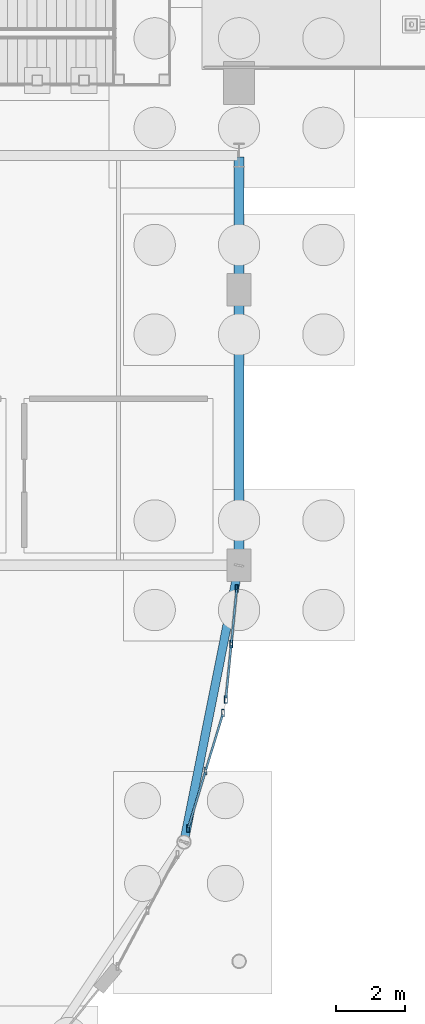
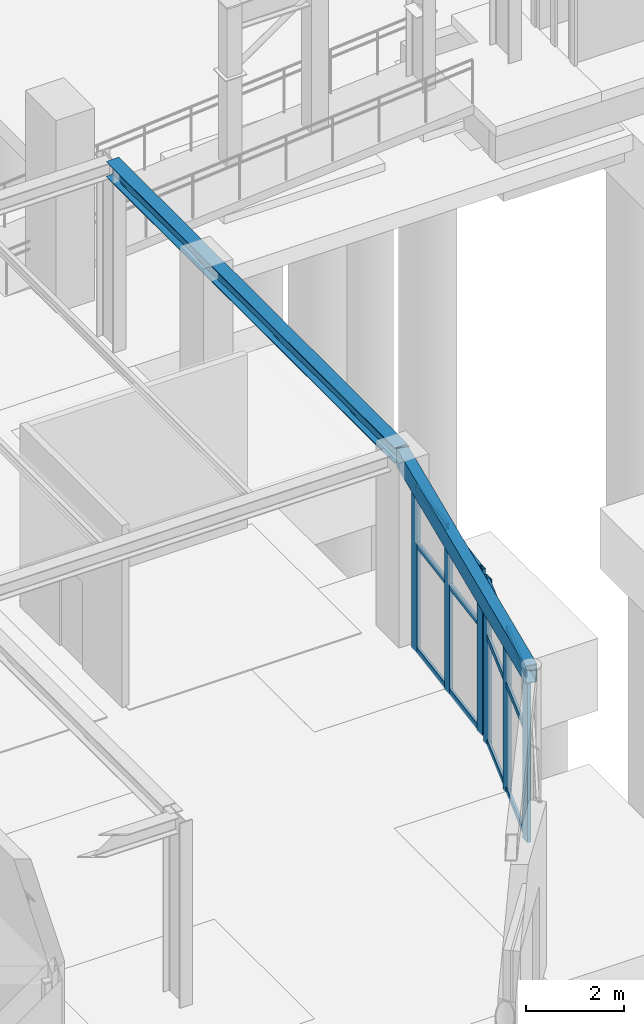
# One storey, part 79 of 160: 18 members, 2 beams, 2 elements without a shape of their own.
"""IFC4 building model written with IfcOpenShell, lengths in metres."""

from ifc_helpers import new_model, si_unit, direction, frame, origin, origin_2d, place, context, subcontext, project, spatial, hollow_rectangle, i_section, extrude, material, layer, layer_set, material_profile, profile_set, type_object, element, aggregate, save


model = new_model("IFC4")

# Units and contexts
model_context = context("Model", 3, precision=1e-05, world=origin(), true_north=direction((0.0, 1.0)))
body_context = subcontext(model_context, "Body", "Model", "MODEL_VIEW")
ifc_project = project(units=[si_unit("LENGTHUNIT", "METRE"), si_unit("AREAUNIT", "SQUARE_METRE"), si_unit("VOLUMEUNIT", "CUBIC_METRE"), si_unit("PLANEANGLEUNIT", "RADIAN"), si_unit("MASSUNIT", "GRAM", prefix="KILO")], contexts=[model_context])

# Site, building, storey
site_placement = place(None, origin())
site = spatial("IfcSite", under=ifc_project, at=site_placement, CompositionType="ELEMENT")
building_placement = place(site_placement, origin())
building = spatial("IfcBuilding", under=site, at=building_placement, Name="Marlcrest Central Station", CompositionType="ELEMENT")
storey_placement = place(building_placement, origin())
storey = spatial("IfcBuildingStorey", under=building, at=storey_placement, Name="L00", CompositionType="ELEMENT", Elevation=0.0)

# Beam
ifc_material_1 = material(Name="Steel S355", Category="steel")
ifc_material_profile_1 = material_profile(ifc_material_1, i_section(OverallWidth=0.300048828125, OverallDepth=0.389892578125, WebThickness=0.010986328125, FlangeThickness=0.01904296875, FilletRadius=0.027099609375, at=origin_2d()), Name="HEA 400")
ifc_profile_set_1 = profile_set([ifc_material_profile_1], Name="Steel S355")
beam_type_1 = type_object("IfcBeamType", Name="BM-08", PredefinedType="BEAM", material=ifc_profile_set_1)
beam_1_placement = place(storey_placement, frame((129.0, 22.550048828125, 4.409912109375), z_axis=(0.0, 1.0, 0.0), x_axis=(-1.0, 0.0, 0.0)))
element("IfcBeam", 1, at=beam_1_placement, inside=storey, type_object=beam_type_1, Name="bm-BM-08-L00-01348", PredefinedType="BEAM", context=body_context, shape_type="SweptSolid", body=[
    extrude(i_section(OverallWidth=0.300048828125, OverallDepth=0.389892578125, WebThickness=0.010986328125, FlangeThickness=0.01904296875, FilletRadius=0.027099609375, at=origin_2d()), origin(), (0.0, 0.0, 1.0), 11.800048828125),
])

# Curtain wall, members
ifc_material_2 = material(Name="Anodised aluminium and hurricane laminated glass", Category="aluminium")
ifc_layer = layer(ifc_material_2, 0.219970703125, Name="CW-U1")
ifc_layer_set = layer_set([ifc_layer], Name="Anodised aluminium and hurricane laminated glass")
curtain_wall_type = type_object("IfcCurtainWallType", Name="CW-U1", PredefinedType="USERDEFINED", material=ifc_layer_set)
curtain_wall_1_placement = place(storey_placement, origin())
curtain_wall_1 = element("IfcCurtainWall", 2, at=curtain_wall_1_placement, inside=storey, type_object=curtain_wall_type, Name="cw-L00-0007", ObjectType="UNITISED_CURTAIN_WALL", PredefinedType="USERDEFINED")
ifc_material_3 = material(Name="Anodised aluminium 6063-T6", Category="aluminium")
ifc_material_profile_2 = material_profile(ifc_material_3, hollow_rectangle(XDim=0.080078125, YDim=0.219970703125, WallThickness=0.006103515625, at=origin_2d()), Name="AA-RHS 220x80x6")
ifc_profile_set_2 = profile_set([ifc_material_profile_2], Name="Anodised aluminium 6063-T6")
member_type_1 = type_object("IfcMemberType", Name="ML-01", PredefinedType="MULLION", material=ifc_profile_set_2)
member_1_placement = place(storey_placement, frame((128.5361328125, 18.2060546875, -0.030029296875), z_axis=(0.0, 0.0, 1.0), x_axis=(1.0, 0.0, 0.0)))
member_1 = element("IfcMember", 3, at=member_1_placement, type_object=member_type_1, Name="cw-L00-0007-ml-0", PredefinedType="MULLION", context=body_context, shape_type="SweptSolid", body=[
    extrude(hollow_rectangle(XDim=0.080078125, YDim=0.219970703125, WallThickness=0.006103515625, at=origin_2d()), origin(), (0.0, 0.0, 1.0), 4.159912109375),
])
member_2_placement = place(storey_placement, frame((128.02734375, 16.5283203125, -0.030029296875), z_axis=(0.0, 0.0, 1.0), x_axis=(1.0, 0.0, 0.0)))
member_2 = element("IfcMember", 4, at=member_2_placement, type_object=member_type_1, Name="cw-L00-0007-ml-1", PredefinedType="MULLION", context=body_context, shape_type="SweptSolid", body=[
    extrude(hollow_rectangle(XDim=0.080078125, YDim=0.219970703125, WallThickness=0.006103515625, at=origin_2d()), origin(), (0.0, 0.0, 1.0), 4.159912109375),
])
member_3_placement = place(storey_placement, frame((127.518310546875, 14.8505859375, -0.030029296875), z_axis=(0.0, 0.0, 1.0), x_axis=(1.0, 0.0, 0.0)))
member_3 = element("IfcMember", 5, at=member_3_placement, type_object=member_type_1, Name="cw-L00-0007-ml-2", PredefinedType="MULLION", context=body_context, shape_type="SweptSolid", body=[
    extrude(hollow_rectangle(XDim=0.080078125, YDim=0.219970703125, WallThickness=0.006103515625, at=origin_2d()), origin(), (0.0, 0.0, 1.0), 4.159912109375),
])

curtain_wall_2_placement = place(storey_placement, origin())
curtain_wall_2 = element("IfcCurtainWall", 6, at=curtain_wall_2_placement, inside=storey, type_object=curtain_wall_type, Name="cw-L00-0008", ObjectType="UNITISED_CURTAIN_WALL", PredefinedType="USERDEFINED")
member_4_placement = place(storey_placement, frame((128.93359375, 21.827392578125, -0.030029296875), z_axis=(0.0, 0.0, 1.0), x_axis=(1.0, 0.0, 0.0)))
member_4 = element("IfcMember", 7, at=member_4_placement, type_object=member_type_1, Name="cw-L00-0008-ml-0", PredefinedType="MULLION", context=body_context, shape_type="SweptSolid", body=[
    extrude(hollow_rectangle(XDim=0.080078125, YDim=0.219970703125, WallThickness=0.006103515625, at=origin_2d()), origin(), (0.0, 0.0, 1.0), 4.159912109375),
])
member_5_placement = place(storey_placement, frame((128.77490234375, 20.217529296875, -0.030029296875), z_axis=(0.0, 0.0, 1.0), x_axis=(1.0, 0.0, 0.0)))
member_5 = element("IfcMember", 8, at=member_5_placement, type_object=member_type_1, Name="cw-L00-0008-ml-1", PredefinedType="MULLION", context=body_context, shape_type="SweptSolid", body=[
    extrude(hollow_rectangle(XDim=0.080078125, YDim=0.219970703125, WallThickness=0.006103515625, at=origin_2d()), origin(), (0.0, 0.0, 1.0), 4.159912109375),
])
member_6_placement = place(storey_placement, frame((128.6162109375, 18.60791015625, -0.030029296875), z_axis=(0.0, 0.0, 1.0), x_axis=(1.0, 0.0, 0.0)))
member_6 = element("IfcMember", 9, at=member_6_placement, type_object=member_type_1, Name="cw-L00-0008-ml-2", PredefinedType="MULLION", context=body_context, shape_type="SweptSolid", body=[
    extrude(hollow_rectangle(XDim=0.080078125, YDim=0.219970703125, WallThickness=0.006103515625, at=origin_2d()), origin(), (0.0, 0.0, 1.0), 4.159912109375),
])

# Beam
ifc_material_profile_3 = material_profile(ifc_material_1, hollow_rectangle(XDim=0.25, YDim=0.449951171875, WallThickness=0.01611328125, at=origin_2d()), Name="RHS 450x250x16")
ifc_profile_set_3 = profile_set([ifc_material_profile_3], Name="Steel S355")
beam_type_2 = type_object("IfcBeamType", Name="SP-02", PredefinedType="SPANDREL", material=ifc_profile_set_3)
beam_2_placement = place(storey_placement, frame((127.40087890625, 14.464111328125, 4.3798828125), z_axis=(0.19517056122, 0.980769316421, 0.0), x_axis=(-0.980769316421, 0.19517056122, 0.0)))
element("IfcBeam", 10, at=beam_2_placement, inside=storey, type_object=beam_type_2, Name="bm-SP-02-L00-01330", PredefinedType="SPANDREL", context=body_context, shape_type="SweptSolid", body=[
    extrude(hollow_rectangle(XDim=0.25, YDim=0.449951171875, WallThickness=0.01611328125, at=origin_2d()), origin(), (0.0, 0.0, 1.0), 8.193359375),
])

# Member
ifc_material_profile_4 = material_profile(ifc_material_3, hollow_rectangle(XDim=0.06005859375, YDim=0.14990234375, WallThickness=0.00390625, at=origin_2d()), Name="AA-RHS 150x60x4")
ifc_profile_set_4 = profile_set([ifc_material_profile_4], Name="Anodised aluminium 6063-T6")
member_type_2 = type_object("IfcMemberType", Name="TR-01", PredefinedType="USERDEFINED", material=ifc_profile_set_4)
member_7_placement = place(storey_placement, frame((128.525146484375, 18.169677734375, 0.0400390625), z_axis=(-0.29025787087, -0.95694846695, 0.0), x_axis=(0.95694846695, -0.29025787087, 0.0)))
member_7 = element("IfcMember", 11, at=member_7_placement, type_object=member_type_2, Name="cw-L00-0007-tr-0-sill", ObjectType="TRANSOM", PredefinedType="USERDEFINED", context=body_context, shape_type="SweptSolid", body=[
    extrude(hollow_rectangle(XDim=0.06005859375, YDim=0.14990234375, WallThickness=0.00390625, at=origin_2d()), origin(), (0.0, 0.0, 1.0), 1.67724609375),
])

member_8_placement = place(storey_placement, frame((128.525146484375, 18.169677734375, 2.6650390625), z_axis=(-0.29025787087, -0.95694846695, 0.0), x_axis=(0.95694846695, -0.29025787087, 0.0)))
member_8 = element("IfcMember", 12, at=member_8_placement, type_object=member_type_2, Name="cw-L00-0007-tr-0-mid", ObjectType="TRANSOM", PredefinedType="USERDEFINED", context=body_context, shape_type="SweptSolid", body=[
    extrude(hollow_rectangle(XDim=0.06005859375, YDim=0.14990234375, WallThickness=0.00390625, at=origin_2d()), origin(), (0.0, 0.0, 1.0), 1.67724609375),
])

member_9_placement = place(storey_placement, frame((128.525146484375, 18.169677734375, 4.06005859375), z_axis=(-0.29025787087, -0.95694846695, 0.0), x_axis=(0.95694846695, -0.29025787087, 0.0)))
member_9 = element("IfcMember", 13, at=member_9_placement, type_object=member_type_2, Name="cw-L00-0007-tr-0-head", ObjectType="TRANSOM", PredefinedType="USERDEFINED", context=body_context, shape_type="SweptSolid", body=[
    extrude(hollow_rectangle(XDim=0.06005859375, YDim=0.14990234375, WallThickness=0.00390625, at=origin_2d()), origin(), (0.0, 0.0, 1.0), 1.67724609375),
])

member_10_placement = place(storey_placement, frame((128.01611328125, 16.491943359375, 0.0400390625), z_axis=(-0.29025787087, -0.95694846695, 0.0), x_axis=(0.95694846695, -0.29025787087, 0.0)))
member_10 = element("IfcMember", 14, at=member_10_placement, type_object=member_type_2, Name="cw-L00-0007-tr-1-sill", ObjectType="TRANSOM", PredefinedType="USERDEFINED", context=body_context, shape_type="SweptSolid", body=[
    extrude(hollow_rectangle(XDim=0.06005859375, YDim=0.14990234375, WallThickness=0.00390625, at=origin_2d()), origin(), (0.0, 0.0, 1.0), 1.67724609375),
])

member_11_placement = place(storey_placement, frame((128.01611328125, 16.491943359375, 2.6650390625), z_axis=(-0.29025787087, -0.95694846695, 0.0), x_axis=(0.95694846695, -0.29025787087, 0.0)))
member_11 = element("IfcMember", 15, at=member_11_placement, type_object=member_type_2, Name="cw-L00-0007-tr-1-mid", ObjectType="TRANSOM", PredefinedType="USERDEFINED", context=body_context, shape_type="SweptSolid", body=[
    extrude(hollow_rectangle(XDim=0.06005859375, YDim=0.14990234375, WallThickness=0.00390625, at=origin_2d()), origin(), (0.0, 0.0, 1.0), 1.67724609375),
])

member_12_placement = place(storey_placement, frame((128.01611328125, 16.491943359375, 4.06005859375), z_axis=(-0.29025787087, -0.95694846695, 0.0), x_axis=(0.95694846695, -0.29025787087, 0.0)))
member_12 = element("IfcMember", 16, at=member_12_placement, type_object=member_type_2, Name="cw-L00-0007-tr-1-head", ObjectType="TRANSOM", PredefinedType="USERDEFINED", context=body_context, shape_type="SweptSolid", body=[
    extrude(hollow_rectangle(XDim=0.06005859375, YDim=0.14990234375, WallThickness=0.00390625, at=origin_2d()), origin(), (0.0, 0.0, 1.0), 1.67724609375),
])

aggregate(curtain_wall_1, [member_1, member_2, member_3, member_7, member_8, member_9, member_10, member_11, member_12])

member_13_placement = place(storey_placement, frame((128.929931640625, 21.78955078125, 0.0400390625), z_axis=(-0.098045143769, -0.995181968176, 0.0), x_axis=(0.995181968176, -0.098045143769, 0.0)))
member_13 = element("IfcMember", 17, at=member_13_placement, type_object=member_type_2, Name="cw-L00-0008-tr-0-sill", ObjectType="TRANSOM", PredefinedType="USERDEFINED", context=body_context, shape_type="SweptSolid", body=[
    extrude(hollow_rectangle(XDim=0.06005859375, YDim=0.14990234375, WallThickness=0.00390625, at=origin_2d()), origin(), (0.0, 0.0, 1.0), 1.541259765625),
])

member_14_placement = place(storey_placement, frame((128.929931640625, 21.78955078125, 2.6650390625), z_axis=(-0.098045143769, -0.995181968176, 0.0), x_axis=(0.995181968176, -0.098045143769, 0.0)))
member_14 = element("IfcMember", 18, at=member_14_placement, type_object=member_type_2, Name="cw-L00-0008-tr-0-mid", ObjectType="TRANSOM", PredefinedType="USERDEFINED", context=body_context, shape_type="SweptSolid", body=[
    extrude(hollow_rectangle(XDim=0.06005859375, YDim=0.14990234375, WallThickness=0.00390625, at=origin_2d()), origin(), (0.0, 0.0, 1.0), 1.541259765625),
])

member_15_placement = place(storey_placement, frame((128.929931640625, 21.78955078125, 4.06005859375), z_axis=(-0.098045143769, -0.995181968176, 0.0), x_axis=(0.995181968176, -0.098045143769, 0.0)))
member_15 = element("IfcMember", 19, at=member_15_placement, type_object=member_type_2, Name="cw-L00-0008-tr-0-head", ObjectType="TRANSOM", PredefinedType="USERDEFINED", context=body_context, shape_type="SweptSolid", body=[
    extrude(hollow_rectangle(XDim=0.06005859375, YDim=0.14990234375, WallThickness=0.00390625, at=origin_2d()), origin(), (0.0, 0.0, 1.0), 1.541259765625),
])

member_16_placement = place(storey_placement, frame((128.771240234375, 20.1796875, 0.0400390625), z_axis=(-0.098202010308, -0.995166501231, 0.0), x_axis=(0.995166501231, -0.098202010308, 0.0)))
member_16 = element("IfcMember", 20, at=member_16_placement, type_object=member_type_2, Name="cw-L00-0008-tr-1-sill", ObjectType="TRANSOM", PredefinedType="USERDEFINED", context=body_context, shape_type="SweptSolid", body=[
    extrude(hollow_rectangle(XDim=0.06005859375, YDim=0.14990234375, WallThickness=0.00390625, at=origin_2d()), origin(), (0.0, 0.0, 1.0), 1.54150390625),
])

member_17_placement = place(storey_placement, frame((128.771240234375, 20.1796875, 2.6650390625), z_axis=(-0.098202010308, -0.995166501231, 0.0), x_axis=(0.995166501231, -0.098202010308, 0.0)))
member_17 = element("IfcMember", 21, at=member_17_placement, type_object=member_type_2, Name="cw-L00-0008-tr-1-mid", ObjectType="TRANSOM", PredefinedType="USERDEFINED", context=body_context, shape_type="SweptSolid", body=[
    extrude(hollow_rectangle(XDim=0.06005859375, YDim=0.14990234375, WallThickness=0.00390625, at=origin_2d()), origin(), (0.0, 0.0, 1.0), 1.54150390625),
])

member_18_placement = place(storey_placement, frame((128.771240234375, 20.1796875, 4.06005859375), z_axis=(-0.098202010308, -0.995166501231, 0.0), x_axis=(0.995166501231, -0.098202010308, 0.0)))
member_18 = element("IfcMember", 22, at=member_18_placement, type_object=member_type_2, Name="cw-L00-0008-tr-1-head", ObjectType="TRANSOM", PredefinedType="USERDEFINED", context=body_context, shape_type="SweptSolid", body=[
    extrude(hollow_rectangle(XDim=0.06005859375, YDim=0.14990234375, WallThickness=0.00390625, at=origin_2d()), origin(), (0.0, 0.0, 1.0), 1.54150390625),
])

aggregate(curtain_wall_2, [member_4, member_5, member_6, member_13, member_14, member_15, member_16, member_17, member_18])

save(model, "model.ifc")
